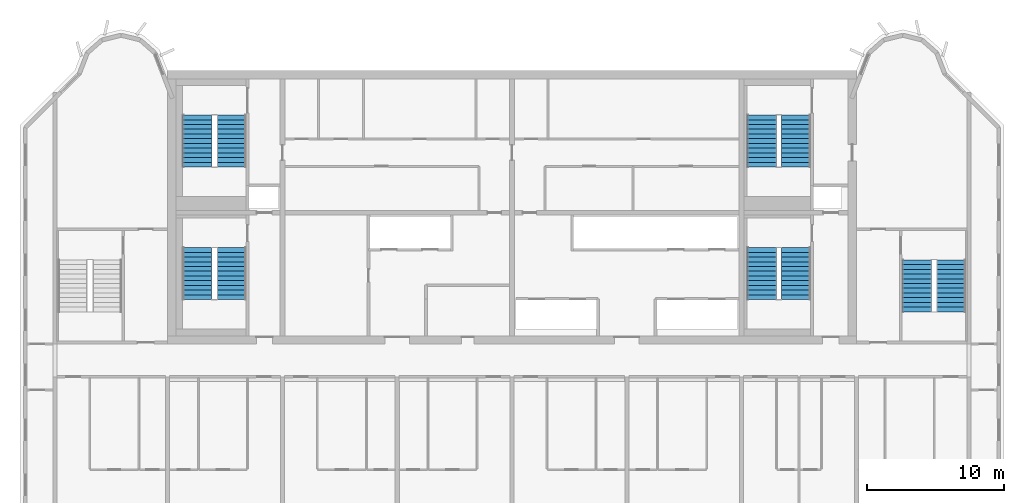
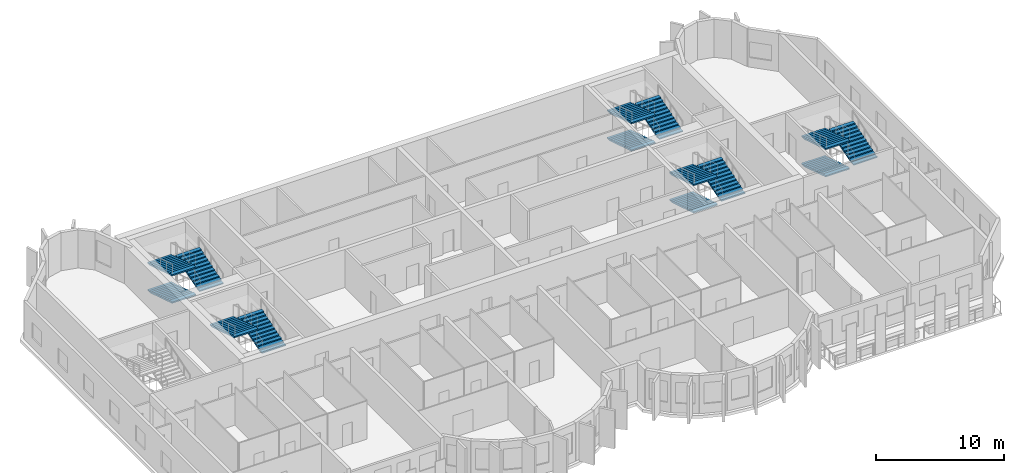
# One storey, part 9 of 11: 14 stair flights, 5 elements without a shape of their own.
"""IFC4 building model written with IfcOpenShell, lengths in metres."""

from ifc_helpers import new_model, si_unit, direction, frame, origin, place, context, subcontext, project, spatial, polyline, outline, extrude, source, transform, mapped, material, type_object, element, aggregate, save


model = new_model("IFC4")

# Units and contexts
model_context = context("Model", 3, precision=1e-05, world=origin(), true_north=direction((0.0, 1.0)))
body_context = subcontext(model_context, "Body", "Model", "MODEL_VIEW")
ifc_project = project(units=[si_unit("LENGTHUNIT", "METRE"), si_unit("AREAUNIT", "SQUARE_METRE"), si_unit("VOLUMEUNIT", "CUBIC_METRE"), si_unit("PLANEANGLEUNIT", "RADIAN"), si_unit("MASSUNIT", "GRAM", prefix="KILO")], contexts=[model_context])

# Site, building, storey
site_placement = place(None, origin())
site = spatial("IfcSite", under=ifc_project, at=site_placement, CompositionType="ELEMENT")
building_placement = place(site_placement, origin())
building = spatial("IfcBuilding", under=site, at=building_placement, Name="Vanashikhar Sky Hotel", CompositionType="ELEMENT")
storey_placement = place(building_placement, frame((0.0, 0.0, 249.10009765625)))
storey = spatial("IfcBuildingStorey", under=building, at=storey_placement, Name="L60", CompositionType="ELEMENT", Elevation=249.10009765625)

# Stair, stair flights
ifc_material = material(Name="Concrete M40", Category="concrete")
stair_type = type_object("IfcStairType", Name="Exit stair 2150", PredefinedType="DOUBLE_RETURN_STAIR", material=ifc_material)
stair_1_placement = place(storey_placement, origin())
stair_1 = element("IfcStair", 1, at=stair_1_placement, inside=storey, type_object=stair_type, Name="L60 Exit stair 1", PredefinedType="DOUBLE_RETURN_STAIR")
stair_flight_type = type_object("IfcStairFlightType", Name="Stair flight 2150", PredefinedType="STRAIGHT", material=ifc_material)
shared_shape = source(origin(), body_context, "Body", "SweptSolid", [
    extrude(outline(polyline([(0.0, 0.0), (0.0, 0.1083984375), (0.345458984375, 0.1083984375), (0.345458984375, 0.216552734375), (0.69091796875, 0.216552734375), (0.69091796875, 0.324951171875), (1.036376953125, 0.324951171875), (1.036376953125, 0.433349609375), (1.3818359375, 0.433349609375), (1.3818359375, 0.541748046875), (1.727294921875, 0.541748046875), (1.727294921875, 0.64990234375), (2.07275390625, 0.64990234375), (2.07275390625, 0.75830078125), (2.418212890625, 0.75830078125), (2.418212890625, 0.86669921875), (2.763671875, 0.86669921875), (2.763671875, 0.97509765625), (3.109130859375, 0.97509765625), (3.109130859375, 1.083251953125), (3.45458984375, 1.083251953125), (3.45458984375, 1.191650390625), (3.800048828125, 1.191650390625), (3.800048828125, 1.300048828125), (3.800048828125, 1.065673828125), (0.4013671875, 0.0), (0.0, 0.0)])), frame((0.0, 1.074951171875, 0.0), z_axis=(0.0, -1.0, 0.0), x_axis=(1.0, 0.0, 0.0)), (0.0, 0.0, 1.0), 2.14990234375),
])
stair_flight_1_placement = place(storey_placement, frame((29.875, 25.25, 1.2998046875), z_axis=(0.0, 0.0, 1.0), x_axis=(0.0, 1.0, 0.0)))
stair_flight_1 = element("IfcStairFlight", 2, at=stair_flight_1_placement, type_object=stair_flight_type, Name="ST-C1 flight 2", NumberOfRisers=12, NumberOfTreads=11, PredefinedType="STRAIGHT", RiserHeight=0.108333333, TreadLength=0.345454545, context=body_context, shape_type="MappedRepresentation", body=[
    mapped(shared_shape, transform((0.0, 0.0, 0.0), scale=1.0)),
])
stair_flight_2_placement = place(storey_placement, frame((27.375, 29.050048828125, 2.599853515625), z_axis=(0.0, 0.0, 1.0), x_axis=(0.0, -1.0, 0.0)))
stair_flight_2 = element("IfcStairFlight", 3, at=stair_flight_2_placement, type_object=stair_flight_type, Name="ST-C1 flight 3", NumberOfRisers=12, NumberOfTreads=11, PredefinedType="STRAIGHT", RiserHeight=0.108333333, TreadLength=0.345454545, context=body_context, shape_type="MappedRepresentation", body=[
    mapped(shared_shape, transform((0.0, 0.0, 0.0), scale=1.0)),
])
aggregate(stair_1, [stair_flight_1, stair_flight_2])

stair_2_placement = place(storey_placement, origin())
stair_2 = element("IfcStair", 4, at=stair_2_placement, inside=storey, type_object=stair_type, Name="L60 Exit stair 2", PredefinedType="DOUBLE_RETURN_STAIR")
stair_flight_3_placement = place(storey_placement, frame((68.675048828125, 29.050048828125, 0.0), z_axis=(0.0, 0.0, 1.0), x_axis=(0.0, -1.0, 0.0)))
stair_flight_3 = element("IfcStairFlight", 5, at=stair_flight_3_placement, type_object=stair_flight_type, Name="ST-C2 flight 1", NumberOfRisers=12, NumberOfTreads=11, PredefinedType="STRAIGHT", RiserHeight=0.108333333, TreadLength=0.345454545, context=body_context, shape_type="MappedRepresentation", body=[
    mapped(shared_shape, transform((0.0, 0.0, 0.0), scale=1.0)),
])
stair_flight_4_placement = place(storey_placement, frame((71.175048828125, 25.25, 1.2998046875), z_axis=(0.0, 0.0, 1.0), x_axis=(0.0, 1.0, 0.0)))
stair_flight_4 = element("IfcStairFlight", 6, at=stair_flight_4_placement, type_object=stair_flight_type, Name="ST-C2 flight 2", NumberOfRisers=12, NumberOfTreads=11, PredefinedType="STRAIGHT", RiserHeight=0.108333333, TreadLength=0.345454545, context=body_context, shape_type="MappedRepresentation", body=[
    mapped(shared_shape, transform((0.0, 0.0, 0.0), scale=1.0)),
])
stair_flight_5_placement = place(storey_placement, frame((68.675048828125, 29.050048828125, 2.599853515625), z_axis=(0.0, 0.0, 1.0), x_axis=(0.0, -1.0, 0.0)))
stair_flight_5 = element("IfcStairFlight", 7, at=stair_flight_5_placement, type_object=stair_flight_type, Name="ST-C2 flight 3", NumberOfRisers=12, NumberOfTreads=11, PredefinedType="STRAIGHT", RiserHeight=0.108333333, TreadLength=0.345454545, context=body_context, shape_type="MappedRepresentation", body=[
    mapped(shared_shape, transform((0.0, 0.0, 0.0), scale=1.0)),
])
aggregate(stair_2, [stair_flight_3, stair_flight_4, stair_flight_5])

stair_3_placement = place(storey_placement, origin())
stair_3 = element("IfcStair", 8, at=stair_3_placement, inside=storey, type_object=stair_type, Name="L60 Exit stair 4", PredefinedType="DOUBLE_RETURN_STAIR")
stair_flight_6_placement = place(storey_placement, frame((80.02490234375, 28.14990234375, 0.0), z_axis=(0.0, 0.0, 1.0), x_axis=(0.0, -1.0, 0.0)))
stair_flight_6 = element("IfcStairFlight", 9, at=stair_flight_6_placement, type_object=stair_flight_type, Name="ST-E flight 1", NumberOfRisers=12, NumberOfTreads=11, PredefinedType="STRAIGHT", RiserHeight=0.108333333, TreadLength=0.345454545, context=body_context, shape_type="MappedRepresentation", body=[
    mapped(shared_shape, transform((0.0, 0.0, 0.0), scale=1.0)),
])
stair_flight_7_placement = place(storey_placement, frame((82.52490234375, 24.35009765625, 1.2998046875), z_axis=(0.0, 0.0, 1.0), x_axis=(0.0, 1.0, 0.0)))
stair_flight_7 = element("IfcStairFlight", 10, at=stair_flight_7_placement, type_object=stair_flight_type, Name="ST-E flight 2", NumberOfRisers=12, NumberOfTreads=11, PredefinedType="STRAIGHT", RiserHeight=0.108333333, TreadLength=0.345454545, context=body_context, shape_type="MappedRepresentation", body=[
    mapped(shared_shape, transform((0.0, 0.0, 0.0), scale=1.0)),
])
stair_flight_8_placement = place(storey_placement, frame((80.02490234375, 28.14990234375, 2.599853515625), z_axis=(0.0, 0.0, 1.0), x_axis=(0.0, -1.0, 0.0)))
stair_flight_8 = element("IfcStairFlight", 11, at=stair_flight_8_placement, type_object=stair_flight_type, Name="ST-E flight 3", NumberOfRisers=12, NumberOfTreads=11, PredefinedType="STRAIGHT", RiserHeight=0.108333333, TreadLength=0.345454545, context=body_context, shape_type="MappedRepresentation", body=[
    mapped(shared_shape, transform((0.0, 0.0, 0.0), scale=1.0)),
])
aggregate(stair_3, [stair_flight_6, stair_flight_7, stair_flight_8])

stair_4_placement = place(storey_placement, origin())
stair_4 = element("IfcStair", 12, at=stair_4_placement, inside=storey, type_object=stair_type, Name="L60 Exit stair 5", PredefinedType="DOUBLE_RETURN_STAIR")
stair_flight_9_placement = place(storey_placement, frame((27.375, 38.75, 0.0), z_axis=(0.0, 0.0, 1.0), x_axis=(0.0, -1.0, 0.0)))
stair_flight_9 = element("IfcStairFlight", 13, at=stair_flight_9_placement, type_object=stair_flight_type, Name="ST-C3 flight 1", NumberOfRisers=12, NumberOfTreads=11, PredefinedType="STRAIGHT", RiserHeight=0.108333333, TreadLength=0.345454545, context=body_context, shape_type="MappedRepresentation", body=[
    mapped(shared_shape, transform((0.0, 0.0, 0.0), scale=1.0)),
])
stair_flight_10_placement = place(storey_placement, frame((29.875, 34.949951171875, 1.2998046875), z_axis=(0.0, 0.0, 1.0), x_axis=(0.0, 1.0, 0.0)))
stair_flight_10 = element("IfcStairFlight", 14, at=stair_flight_10_placement, type_object=stair_flight_type, Name="ST-C3 flight 2", NumberOfRisers=12, NumberOfTreads=11, PredefinedType="STRAIGHT", RiserHeight=0.108333333, TreadLength=0.345454545, context=body_context, shape_type="MappedRepresentation", body=[
    mapped(shared_shape, transform((0.0, 0.0, 0.0), scale=1.0)),
])
stair_flight_11_placement = place(storey_placement, frame((27.375, 38.75, 2.599853515625), z_axis=(0.0, 0.0, 1.0), x_axis=(0.0, -1.0, 0.0)))
stair_flight_11 = element("IfcStairFlight", 15, at=stair_flight_11_placement, type_object=stair_flight_type, Name="ST-C3 flight 3", NumberOfRisers=12, NumberOfTreads=11, PredefinedType="STRAIGHT", RiserHeight=0.108333333, TreadLength=0.345454545, context=body_context, shape_type="MappedRepresentation", body=[
    mapped(shared_shape, transform((0.0, 0.0, 0.0), scale=1.0)),
])
aggregate(stair_4, [stair_flight_9, stair_flight_10, stair_flight_11])

stair_5_placement = place(storey_placement, origin())
stair_5 = element("IfcStair", 16, at=stair_5_placement, inside=storey, type_object=stair_type, Name="L60 Exit stair 6", PredefinedType="DOUBLE_RETURN_STAIR")
stair_flight_12_placement = place(storey_placement, frame((68.675048828125, 38.75, 0.0), z_axis=(0.0, 0.0, 1.0), x_axis=(0.0, -1.0, 0.0)))
stair_flight_12 = element("IfcStairFlight", 17, at=stair_flight_12_placement, type_object=stair_flight_type, Name="ST-C4 flight 1", NumberOfRisers=12, NumberOfTreads=11, PredefinedType="STRAIGHT", RiserHeight=0.108333333, TreadLength=0.345454545, context=body_context, shape_type="MappedRepresentation", body=[
    mapped(shared_shape, transform((0.0, 0.0, 0.0), scale=1.0)),
])
stair_flight_13_placement = place(storey_placement, frame((71.175048828125, 34.949951171875, 1.2998046875), z_axis=(0.0, 0.0, 1.0), x_axis=(0.0, 1.0, 0.0)))
stair_flight_13 = element("IfcStairFlight", 18, at=stair_flight_13_placement, type_object=stair_flight_type, Name="ST-C4 flight 2", NumberOfRisers=12, NumberOfTreads=11, PredefinedType="STRAIGHT", RiserHeight=0.108333333, TreadLength=0.345454545, context=body_context, shape_type="MappedRepresentation", body=[
    mapped(shared_shape, transform((0.0, 0.0, 0.0), scale=1.0)),
])
stair_flight_14_placement = place(storey_placement, frame((68.675048828125, 38.75, 2.599853515625), z_axis=(0.0, 0.0, 1.0), x_axis=(0.0, -1.0, 0.0)))
stair_flight_14 = element("IfcStairFlight", 19, at=stair_flight_14_placement, type_object=stair_flight_type, Name="ST-C4 flight 3", NumberOfRisers=12, NumberOfTreads=11, PredefinedType="STRAIGHT", RiserHeight=0.108333333, TreadLength=0.345454545, context=body_context, shape_type="MappedRepresentation", body=[
    mapped(shared_shape, transform((0.0, 0.0, 0.0), scale=1.0)),
])
aggregate(stair_5, [stair_flight_12, stair_flight_13, stair_flight_14])

save(model, "model.ifc")
